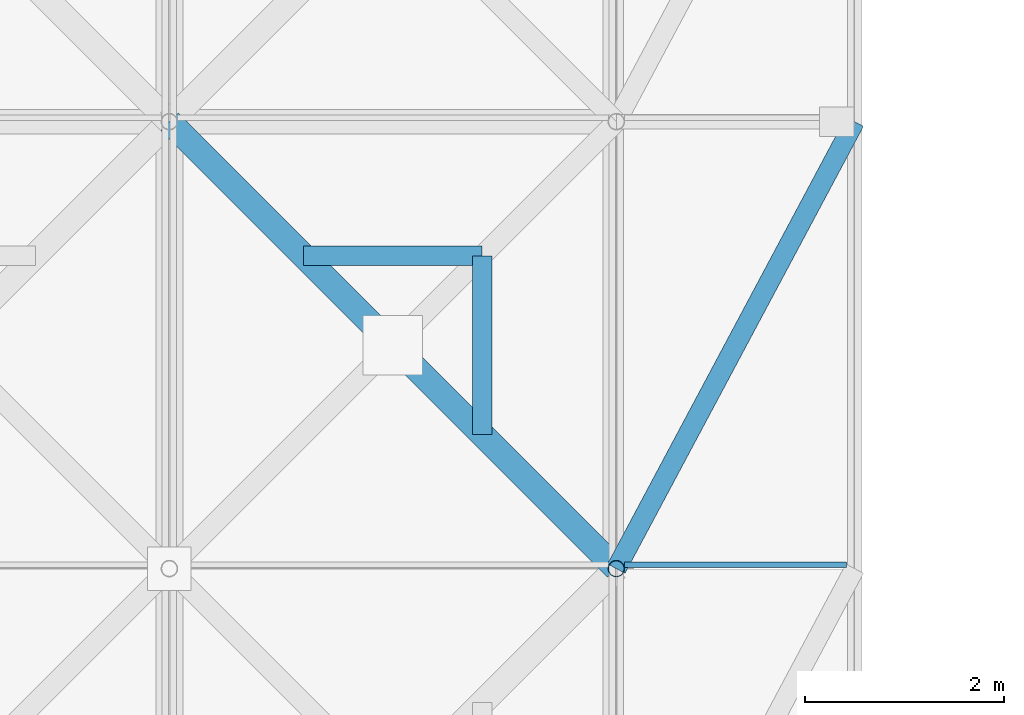
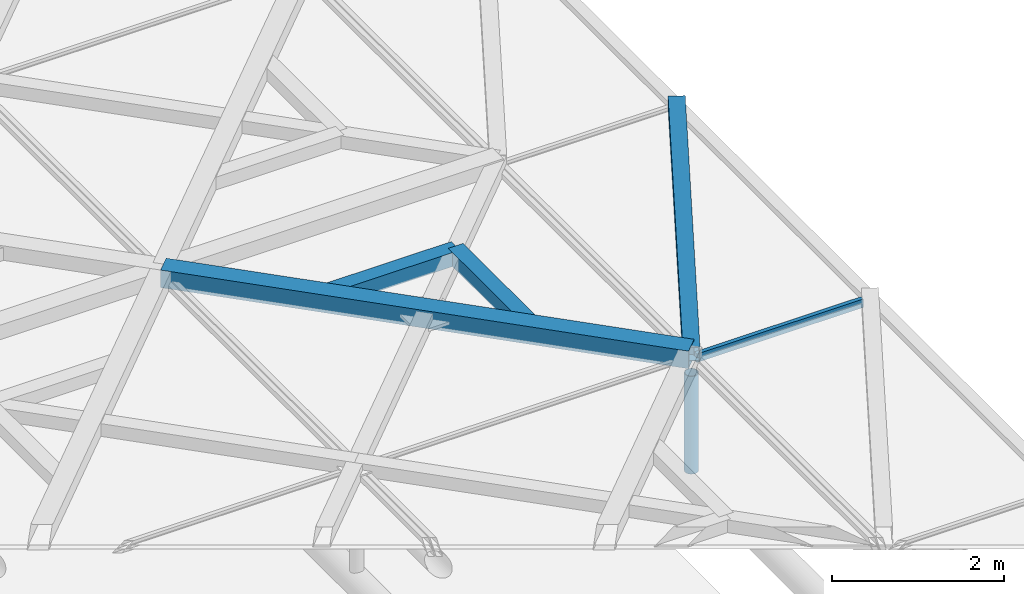
# One storey, part 53 of 80: 6 members, 1 element without a shape of its own.
"""IFC4 building model written with IfcOpenShell, lengths in metres."""

import ifcopenshell
import ifcopenshell.guid

model = None  # the IFC model being written
_history = None  # IfcOwnerHistory: only IFC2X3 demands one
_inside = {}  # id of a spatial element -> (the spatial element, [elements in it])
_under = {}  # id of a project, library or spatial element -> (it, [spatial elements below it])
_declared = {}  # id of a project -> (the project, [libraries it declares])
_typed = {}  # id of a type object -> (the type object, [elements of that type])
_made_of = {}  # id of a material, layer set ... -> (it, [elements and type objects made of it])


def new_model(schema):
    """Start an empty IFC model of exactly this schema.

    Asked for "IFC4X3", IfcOpenShell would pick the latest addendum, in which some entities
    have other attributes; the version numbers below select the first issue.
    IFC2X3 requires an IfcOwnerHistory on every rooted entity: one is made here for all.
    """
    global model, _history
    if schema == "IFC4X3":
        model = ifcopenshell.file(schema_version=(4, 3, 0, 0))
    else:
        model = ifcopenshell.file(schema=schema)
    _inside.clear()
    _under.clear()
    _declared.clear()
    _typed.clear()
    _made_of.clear()
    _history = None
    if model.schema == "IFC2X3":
        org = make("IfcOrganization", Name="unknown")
        user = make(
            "IfcPersonAndOrganization",
            ThePerson=make("IfcPerson", FamilyName="unknown"),
            TheOrganization=org,
        )
        app = make(
            "IfcApplication",
            ApplicationDeveloper=org,
            Version="unknown",
            ApplicationFullName="unknown",
            ApplicationIdentifier="unknown",
        )
        _history = make(
            "IfcOwnerHistory",
            OwningUser=user,
            OwningApplication=app,
            ChangeAction="ADDED",
            CreationDate=0,
        )
    return model


def make(cls, **values):
    """One entity of the class cls with the attributes given. An attribute that is None is left unset."""
    return model.create_entity(
        cls, **{name: value for name, value in values.items() if value is not None}
    )


def rooted(cls, **values):
    """An entity with a GlobalId (a new one), such as an element, a storey or a relation."""
    return make(cls, GlobalId=ifcopenshell.guid.new(), OwnerHistory=_history, **values)


def si_unit(unit_type, name, prefix=None):
    """IfcSIUnit, for example si_unit("LENGTHUNIT", "METRE", prefix="MILLI")."""
    return make("IfcSIUnit", UnitType=unit_type, Prefix=prefix, Name=name)


def assignment(units):
    """IfcUnitAssignment: the units of a project."""
    return None if units is None else make("IfcUnitAssignment", Units=units)


def point(xyz):
    """IfcCartesianPoint."""
    return None if xyz is None else make("IfcCartesianPoint", Coordinates=xyz)


def direction(xyz):
    """IfcDirection."""
    return None if xyz is None else make("IfcDirection", DirectionRatios=xyz)


def frame(location, z_axis=None, x_axis=None):
    """IfcAxis2Placement3D, a coordinate frame: its origin and axes. An axis left out is left unset."""
    return make(
        "IfcAxis2Placement3D",
        Location=point(location),
        Axis=direction(z_axis),
        RefDirection=direction(x_axis),
    )


def frame_2d(location, x_axis=None):
    """IfcAxis2Placement2D, a coordinate frame in the plane: its origin and x axis."""
    return make(
        "IfcAxis2Placement2D", Location=point(location), RefDirection=direction(x_axis)
    )


def origin():
    """The frame at (0, 0, 0) with its axes left unset."""
    return frame((0.0, 0.0, 0.0))


def origin_2d():
    """The frame at (0, 0) in the plane with its x axis left unset."""
    return frame_2d((0.0, 0.0))


def place(relative_to, where):
    """IfcLocalPlacement: puts the frame where relative to a parent placement (None: the world)."""
    return make(
        "IfcLocalPlacement", PlacementRelTo=relative_to, RelativePlacement=where
    )


def context(
    kind, dimensions, precision=None, world=None, true_north=None, identifier=None
):
    """IfcGeometricRepresentationContext, for example the 3D "Model" context."""
    return make(
        "IfcGeometricRepresentationContext",
        ContextIdentifier=identifier,
        ContextType=kind,
        CoordinateSpaceDimension=dimensions,
        Precision=precision,
        WorldCoordinateSystem=world,
        TrueNorth=true_north,
    )


def subcontext(parent, identifier, kind, view, scale=None):
    """IfcGeometricRepresentationSubContext, for example "Body" below "Model"."""
    return make(
        "IfcGeometricRepresentationSubContext",
        ContextIdentifier=identifier,
        ContextType=kind,
        ParentContext=parent,
        TargetScale=scale,
        TargetView=view,
    )


def project(units=None, contexts=None):
    """IfcProject with its units and contexts."""
    return rooted(
        "IfcProject",
        Name="project",
        RepresentationContexts=contexts,
        UnitsInContext=assignment(units),
    )


def spatial(cls, under=None, at=None, **own):
    """A site, building, storey or space (cls), placed at a placement, below another one or the project."""
    s = rooted(cls, ObjectPlacement=at, **own)
    if under is not None:
        _under.setdefault(under.id(), (under, []))[1].append(s)
    return s


def profile(cls, at=None, kind="AREA", **sizes):
    """A parametric profile (cls). Its sizes go by their IFC names, for example OverallWidth=200.0."""
    return make(cls, ProfileType=kind, Position=at, **sizes)


def rectangle(**sizes):
    """IfcRectangleProfileDef."""
    return profile("IfcRectangleProfileDef", **sizes)


def hollow_rectangle(**sizes):
    """IfcRectangleHollowProfileDef."""
    return profile("IfcRectangleHollowProfileDef", **sizes)


def hollow_circle(**sizes):
    """IfcCircleHollowProfileDef."""
    return profile("IfcCircleHollowProfileDef", **sizes)


def extrude(swept, where, along, depth):
    """IfcExtrudedAreaSolid: the profile swept, set in the frame where, extruded along a direction by depth."""
    return make(
        "IfcExtrudedAreaSolid",
        SweptArea=swept,
        Position=where,
        ExtrudedDirection=direction(along),
        Depth=depth,
    )


def shape(context_of_items, identifier, shape_type, items):
    """IfcShapeRepresentation: the items that make up one representation, for example the "Body"."""
    return make(
        "IfcShapeRepresentation",
        ContextOfItems=context_of_items,
        RepresentationIdentifier=identifier,
        RepresentationType=shape_type,
        Items=items,
    )


def material(Name=None, Category=None):
    """IfcMaterial."""
    return make("IfcMaterial", Name=Name, Category=Category)


def material_profile(
    of_material, cross_section, Name=None, Category=None, Priority=None
):
    """IfcMaterialProfile: a cross section and its material."""
    return make(
        "IfcMaterialProfile",
        Name=Name,
        Material=of_material,
        Profile=cross_section,
        Priority=Priority,
        Category=Category,
    )


def profile_set(profiles, Name=None, composite=None):
    """IfcMaterialProfileSet."""
    return make(
        "IfcMaterialProfileSet",
        Name=Name,
        MaterialProfiles=profiles,
        CompositeProfile=composite,
    )


def made_of(thing, what):
    """Note that an element or type object is made of a material, layer set ...; save() writes the relation."""
    if what is not None:
        _made_of.setdefault(what.id(), (what, []))[1].append(thing)
    return thing


def type_object(cls, material=None, **own):
    """A type object (cls), such as IfcWallType, which elements share."""
    return made_of(rooted(cls, **own), material)


def element(
    cls,
    number,
    at=None,
    inside=None,
    cuts=None,
    type_object=None,
    material=None,
    context=None,
    identifier="Body",
    shape_type=None,
    held_by="IfcProductDefinitionShape",
    body=None,
    shapes=None,
    **own,
):
    """One element of the class cls, such as IfcWall. Its Tag is "e" and its number.

    at: its placement. inside: the storey or other place that contains it. cuts: it is an
    opening in that element (IfcRelVoidsElement). A single representation is given by context,
    identifier, shape_type and body (its items); several are given by shapes. held_by: the class
    of the entity that holds the representations. save() writes the other relations.
    """
    e = rooted(cls, Tag="e%d" % number, ObjectPlacement=at, **own)
    if body is not None:
        shapes = [shape(context, identifier, shape_type, body)]
    if shapes is not None:
        e.Representation = make(held_by, Representations=shapes)
    if inside is not None:
        _inside.setdefault(inside.id(), (inside, []))[1].append(e)
    if cuts is not None:
        rooted(
            "IfcRelVoidsElement", RelatingBuildingElement=cuts, RelatedOpeningElement=e
        )
    if type_object is not None:
        _typed.setdefault(type_object.id(), (type_object, []))[1].append(e)
    return made_of(e, material)


def aggregate(whole, parts):
    """IfcRelAggregates: a whole, such as a stair, and the parts it consists of."""
    return rooted("IfcRelAggregates", RelatingObject=whole, RelatedObjects=parts)


def save(model, path):
    """Write the relations noted so far, then the file.

    IfcRelAggregates (storeys below a building ...), IfcRelContainedInSpatialStructure (elements
    in a storey), IfcRelDefinesByType, IfcRelAssociatesMaterial and IfcRelDeclares: one each for
    every whole, place, type object, material and project.
    """
    for whole, parts in _under.values():
        aggregate(whole, parts)
    for where, things in _inside.values():
        rooted(
            "IfcRelContainedInSpatialStructure",
            RelatedElements=things,
            RelatingStructure=where,
        )
    for kind, things in _typed.values():
        rooted("IfcRelDefinesByType", RelatedObjects=things, RelatingType=kind)
    for what, things in _made_of.values():
        rooted("IfcRelAssociatesMaterial", RelatedObjects=things, RelatingMaterial=what)
    for by, libraries in _declared.values():
        rooted("IfcRelDeclares", RelatingContext=by, RelatedDefinitions=libraries)
    model.write(path)


model = new_model("IFC4")

# Units and contexts
model_context = context("Model", 3, precision=1e-05, world=origin(), true_north=direction((0.0, 1.0)))
body_context = subcontext(model_context, "Body", "Model", "MODEL_VIEW")
ifc_project = project(units=[si_unit("LENGTHUNIT", "METRE"), si_unit("AREAUNIT", "SQUARE_METRE"), si_unit("VOLUMEUNIT", "CUBIC_METRE"), si_unit("PLANEANGLEUNIT", "RADIAN"), si_unit("MASSUNIT", "GRAM", prefix="KILO"), si_unit("THERMODYNAMICTEMPERATUREUNIT", "KELVIN"), si_unit("POWERUNIT", "WATT")], contexts=[model_context])

# Site, building, storey
site_placement = place(None, origin())
site = spatial("IfcSite", under=ifc_project, at=site_placement, CompositionType="ELEMENT")
building_placement = place(site_placement, origin())
building = spatial("IfcBuilding", under=site, at=building_placement, Name="Tallowbark Science Centre", CompositionType="ELEMENT")
storey_placement = place(building_placement, frame((0.0, 0.0, 25.949951171875)))
storey = spatial("IfcBuildingStorey", under=building, at=storey_placement, Name="ROOF", CompositionType="ELEMENT", Elevation=25.949951171875)

# Curtain wall, member
ifc_material_1 = material(Name="Blue-Tinted Laminated Low-E Skylight Glass", Category="glass")
curtain_wall_type = type_object("IfcCurtainWallType", Name="CW-SKY-ROOF", PredefinedType="NOTDEFINED", material=ifc_material_1)
curtain_wall_placement = place(storey_placement, origin())
curtain_wall = element("IfcCurtainWall", 1, at=curtain_wall_placement, inside=storey, type_object=curtain_wall_type, Name="Exhibition Star-Screen Skylight Bay 12", PredefinedType="NOTDEFINED")
ifc_material_2 = material(Name="Anodised Architectural Aluminium Alloy 6063-T6", Category="aluminium")
ifc_material_profile_1 = material_profile(ifc_material_2, rectangle(XDim=0.054931640625, YDim=0.1201171875, at=origin_2d()), Name="ALU55x120")
ifc_profile_set_1 = profile_set([ifc_material_profile_1], Name="Anodised Architectural Aluminium Alloy 6063-T6")
member_type_1 = type_object("IfcMemberType", Name="CWM-SKY-TRN", PredefinedType="USERDEFINED", material=ifc_profile_set_1)
member_1_placement = place(storey_placement, frame((103.580078125, 27.0400390625, 0.35205078125), z_axis=(1.0, 0.0, 0.0), x_axis=(0.0, 1.0, 0.0)))
member_1 = element("IfcMember", 2, at=member_1_placement, type_object=member_type_1, Name="Skylight Bay 12 Transom 7", ObjectType="TRANSOM", PredefinedType="USERDEFINED", context=body_context, shape_type="SweptSolid", body=[
    extrude(rectangle(XDim=0.054931640625, YDim=0.1201171875, at=origin_2d()), origin(), (0.0, 0.0, 1.0), 2.239990234375),
])
aggregate(curtain_wall, [member_1])

# Members
ifc_material_3 = material(Name="White Architectural Painted Steel Grade C350L0 (350 MPa)", Category="steel")
ifc_material_profile_2 = material_profile(ifc_material_3, hollow_rectangle(XDim=0.25, YDim=0.25, WallThickness=0.009033203125, at=origin_2d()), Name="250x250x9.0SHS")
ifc_profile_set_2 = profile_set([ifc_material_profile_2], Name="White Architectural Painted Steel Grade C350L0 (350 MPa)")
member_type_2 = type_object("IfcMemberType", Name="SCR-CHD200", PredefinedType="CHORD", material=ifc_profile_set_2)
member_2_placement = place(storey_placement, frame((103.5, 27.0, 0.449951171875), z_axis=(-0.707106781187, 0.707106781187, 0.0), x_axis=(-0.707106781187, -0.707106781187, 0.0)))
element("IfcMember", 3, at=member_2_placement, inside=storey, type_object=member_type_2, Name="Star Screen Octagram Diamond Chord TOP-72-2", PredefinedType="CHORD", context=body_context, shape_type="SweptSolid", body=[
    extrude(hollow_rectangle(XDim=0.25, YDim=0.25, WallThickness=0.009033203125, at=origin_2d()), origin(), (0.0, 0.0, 1.0), 6.364013671875),
])
ifc_material_profile_3 = material_profile(ifc_material_3, hollow_rectangle(XDim=0.199951171875, YDim=0.199951171875, WallThickness=0.009033203125, at=origin_2d()), Name="200x200x9.0SHS")
ifc_profile_set_3 = profile_set([ifc_material_profile_3], Name="White Architectural Painted Steel Grade C350L0 (350 MPa)")
member_type_3 = type_object("IfcMemberType", Name="SCR-STAR139", PredefinedType="BRACE", material=ifc_profile_set_3)
member_3_placement = place(storey_placement, frame((103.5, 27.0, 0.449951171875), z_axis=(0.470573327259, 0.882360891967, 0.0), x_axis=(-0.882360891967, 0.470573327259, 0.0)))
element("IfcMember", 4, at=member_3_placement, inside=storey, type_object=member_type_3, Name="Top Perimeter Gap Star Diagonal 12-7", PredefinedType="BRACE", context=body_context, shape_type="SweptSolid", body=[
    extrude(hollow_rectangle(XDim=0.199951171875, YDim=0.199951171875, WallThickness=0.009033203125, at=origin_2d()), origin(), (0.0, 0.0, 1.0), 5.099853515625),
])
ifc_material_profile_4 = material_profile(ifc_material_3, hollow_rectangle(XDim=0.199951171875, YDim=0.199951171875, WallThickness=0.009033203125, at=origin_2d()), Name="200x200x9.0SHS")
ifc_profile_set_4 = profile_set([ifc_material_profile_4], Name="White Architectural Painted Steel Grade C350L0 (350 MPa)")
member_type_4 = type_object("IfcMemberType", Name="SCR-SUB150", PredefinedType="BRACE", material=ifc_profile_set_4)
for number, where, z_axis, x_axis, name in (
    (5, (102.14990234375, 30.14990234375, 0.449951171875), (-1.0, 0.0, 0.0), (0.0, -1.0, 0.0), "Star Screen Octagram Point Ray TOP-72-5"),
    (6, (102.14990234375, 30.14990234375, 0.449951171875), (0.0, -1.0, 0.0), (1.0, 0.0, 0.0), "Star Screen Octagram Point Ray TOP-72-6"),
):
    element("IfcMember", number, at=place(storey_placement, frame(where, z_axis=z_axis, x_axis=x_axis)), inside=storey, type_object=member_type_4, Name=name, PredefinedType="BRACE", context=body_context, shape_type="SweptSolid", body=[
        extrude(hollow_rectangle(XDim=0.199951171875, YDim=0.199951171875, WallThickness=0.009033203125, at=origin_2d()), origin(), (0.0, 0.0, 1.0), 1.7998046875),
    ])
ifc_material_profile_5 = material_profile(ifc_material_3, hollow_circle(Radius=0.084228515625, WallThickness=0.007080078125, at=origin_2d()), Name="168.3x7.1CHS")
ifc_profile_set_5 = profile_set([ifc_material_profile_5], Name="White Architectural Painted Steel Grade C350L0 (350 MPa)")
member_type_5 = type_object("IfcMemberType", Name="TR-WEB168", PredefinedType="BRACE", material=ifc_profile_set_5)
member_4_placement = place(storey_placement, frame((103.5, 27.0, -1.199951171875), z_axis=(0.0, 0.0, 1.0), x_axis=(1.0, 0.0, 0.0)))
element("IfcMember", 7, at=member_4_placement, inside=storey, type_object=member_type_5, Name="Exhibition Roof Truss Web 11-27", PredefinedType="BRACE", context=body_context, shape_type="SweptSolid", body=[
    extrude(hollow_circle(Radius=0.084228515625, WallThickness=0.007080078125, at=origin_2d()), origin(), (0.0, 0.0, 1.0), 1.389892578125),
])

save(model, "model.ifc")
